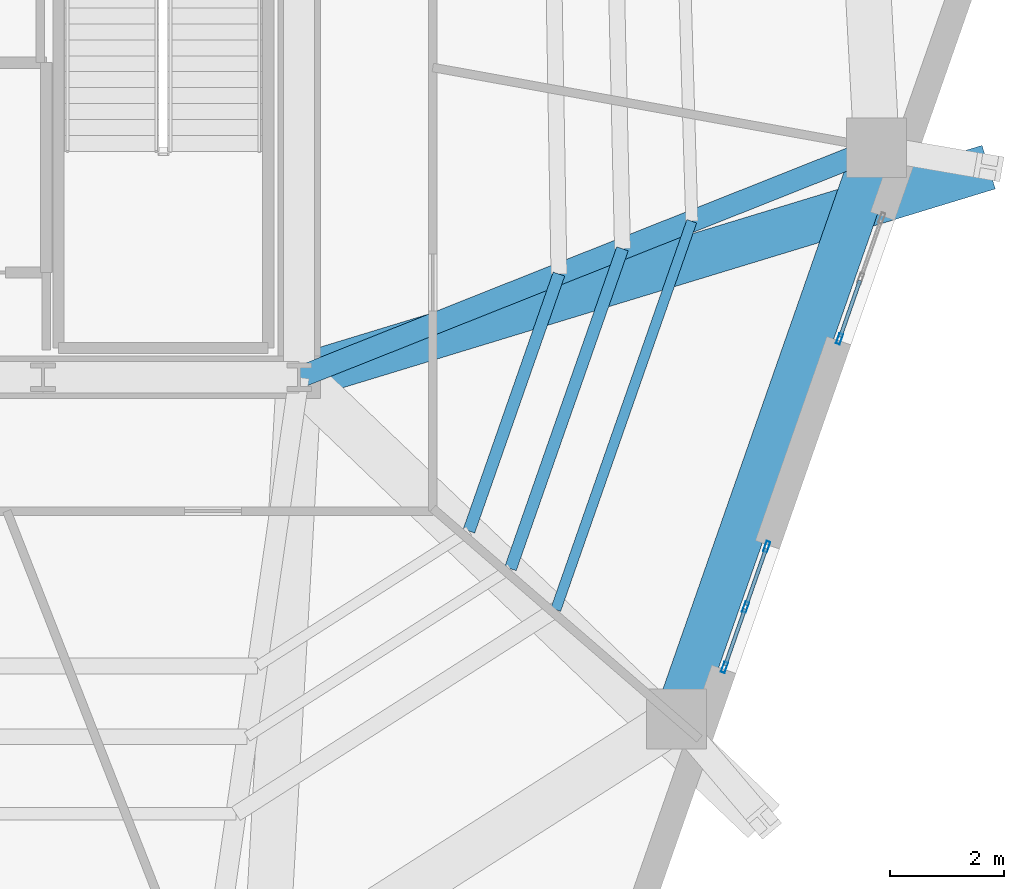
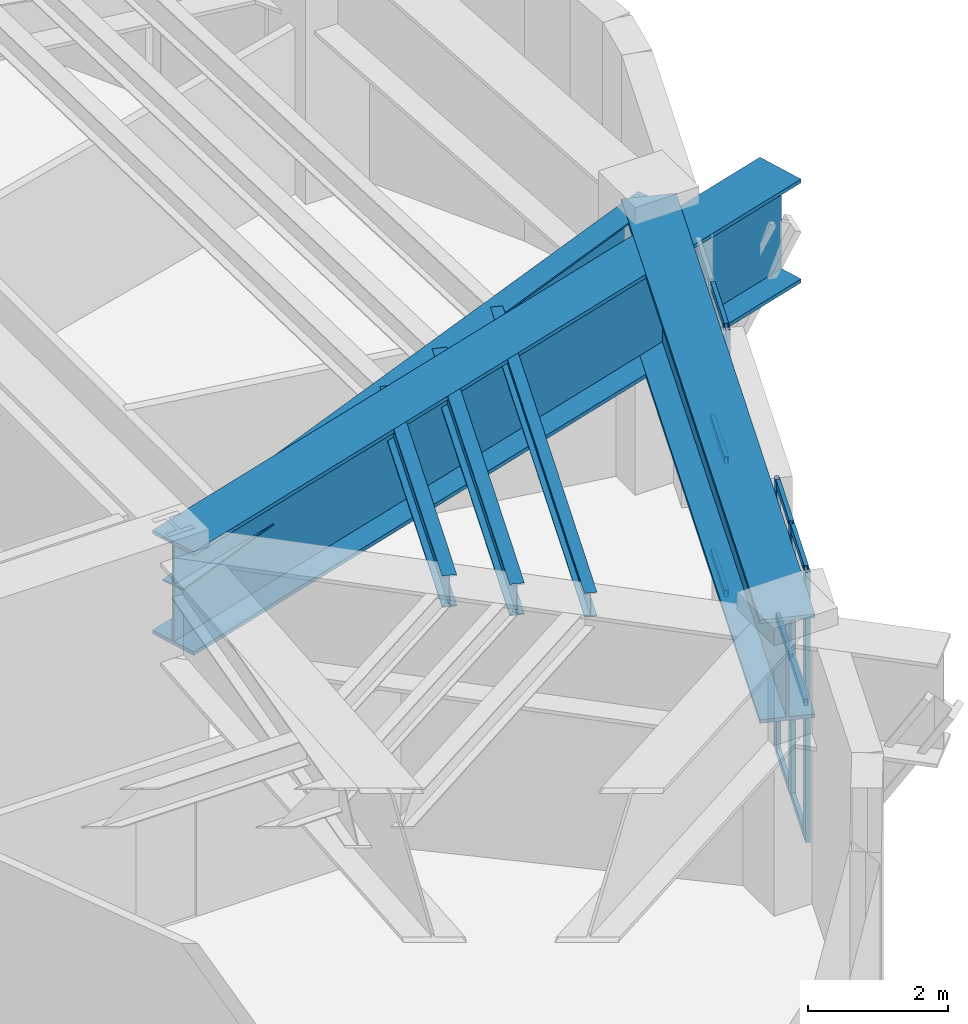
# One storey, part 6 of 18: 13 members, 6 beams, 2 elements without a shape of their own.
"""IFC4 building model written with IfcOpenShell, lengths in metres."""

from ifc_helpers import new_model, si_unit, direction, frame, origin, origin_2d, place, context, subcontext, project, spatial, hollow_rectangle, i_section, extrude, material, layer, layer_set, material_profile, profile_set, type_object, element, aggregate, save


model = new_model("IFC4")

# Units and contexts
model_context = context("Model", 3, precision=1e-05, world=origin(), true_north=direction((0.0, 1.0)))
body_context = subcontext(model_context, "Body", "Model", "MODEL_VIEW")
ifc_project = project(units=[si_unit("LENGTHUNIT", "METRE"), si_unit("AREAUNIT", "SQUARE_METRE"), si_unit("VOLUMEUNIT", "CUBIC_METRE"), si_unit("PLANEANGLEUNIT", "RADIAN"), si_unit("MASSUNIT", "GRAM", prefix="KILO")], contexts=[model_context])

# Site, building, storey
site_placement = place(None, origin())
site = spatial("IfcSite", under=ifc_project, at=site_placement, CompositionType="ELEMENT")
building_placement = place(site_placement, origin())
building = spatial("IfcBuilding", under=site, at=building_placement, Name="Kilnhurst Terrace Hotel", CompositionType="ELEMENT")
storey_placement = place(building_placement, frame((0.0, 0.0, 201.5)))
storey = spatial("IfcBuildingStorey", under=building, at=storey_placement, Name="L50", CompositionType="ELEMENT", Elevation=201.5)

# Beams
ifc_material_1 = material(Name="Steel ASTM A992 Grade 50", Category="steel")
ifc_material_profile_1 = material_profile(ifc_material_1, i_section(OverallWidth=0.380615234375, OverallDepth=0.773193359375, WebThickness=0.0166015625, FlangeThickness=0.027099609375, at=origin_2d()), Name="W30X173")
ifc_profile_set_1 = profile_set([ifc_material_profile_1], Name="Steel ASTM A992 Grade 50")
beam_type_1 = type_object("IfcBeamType", Name="BM-STL-W30X173", PredefinedType="BEAM", material=ifc_profile_set_1)
beam_1_placement = place(storey_placement, frame((9.0, -7.5, 4.31298828125), z_axis=(0.929302373458, 0.369319778356, 0.0), x_axis=(-0.369319778356, 0.929302373458, 0.0)))
element("IfcBeam", 1, at=beam_1_placement, inside=storey, type_object=beam_type_1, Name="L50 Radial Floor Beam 4", PredefinedType="BEAM", context=body_context, shape_type="SweptSolid", body=[
    extrude(i_section(OverallWidth=0.380615234375, OverallDepth=0.773193359375, WebThickness=0.0166015625, FlangeThickness=0.027099609375, at=origin_2d()), origin(), (0.0, 0.0, 1.0), 10.919921875),
])
ifc_material_profile_2 = material_profile(ifc_material_1, i_section(OverallWidth=0.180908203125, OverallDepth=0.417236328125, WebThickness=0.010986328125, FlangeThickness=0.018310546875, at=origin_2d()), Name="W16X57")
ifc_profile_set_2 = profile_set([ifc_material_profile_2], Name="Steel ASTM A992 Grade 50")
beam_type_2 = type_object("IfcBeamType", Name="JST-STL-W16X57", PredefinedType="JOIST", material=ifc_profile_set_2)
beam_2_placement = place(storey_placement, frame((13.510498046875, -11.58349609375, 4.490966796875), z_axis=(0.330481239411, 0.943812561051, 0.0), x_axis=(-0.943812561051, 0.330481239411, 0.0)))
element("IfcBeam", 2, at=beam_2_placement, inside=storey, type_object=beam_type_2, Name="L50 Secondary Floor Steel Joist OUT.3", PredefinedType="JOIST", context=body_context, shape_type="SweptSolid", body=[
    extrude(i_section(OverallWidth=0.180908203125, OverallDepth=0.417236328125, WebThickness=0.010986328125, FlangeThickness=0.018310546875, at=origin_2d()), origin(), (0.0, 0.0, 1.0), 7.232177734375),
])
ifc_material_profile_3 = material_profile(ifc_material_1, i_section(OverallWidth=0.2138671875, OverallDepth=0.549072265625, WebThickness=0.0146484375, FlangeThickness=0.023681640625, at=origin_2d()), Name="W21X93")
ifc_profile_set_3 = profile_set([ifc_material_profile_3], Name="Steel ASTM A992 Grade 50")
beam_type_3 = type_object("IfcBeamType", Name="JST-STL-W21X93", PredefinedType="JOIST", material=ifc_profile_set_3)
beam_3_placement = place(storey_placement, frame((11.98486328125, -10.2021484375, 4.425048828125), z_axis=(0.330516298629, 0.943800284139, 0.0), x_axis=(-0.943800284139, 0.330516298629, 0.0)))
element("IfcBeam", 3, at=beam_3_placement, inside=storey, type_object=beam_type_3, Name="L50 Secondary Floor Steel Joist IN.3", PredefinedType="JOIST", context=body_context, shape_type="SweptSolid", body=[
    extrude(i_section(OverallWidth=0.2138671875, OverallDepth=0.549072265625, WebThickness=0.0146484375, FlangeThickness=0.023681640625, at=origin_2d()), origin(), (0.0, 0.0, 1.0), 4.785888671875),
])
beam_4_placement = place(storey_placement, frame((12.714599609375, -10.86279296875, 4.425048828125), z_axis=(0.330469104178, 0.943816810183, 0.0), x_axis=(-0.943816810183, 0.330469104178, 0.0)))
element("IfcBeam", 4, at=beam_4_placement, inside=storey, type_object=beam_type_3, Name="L50 Secondary Floor Steel Joist MID.3", PredefinedType="JOIST", context=body_context, shape_type="SweptSolid", body=[
    extrude(i_section(OverallWidth=0.2138671875, OverallDepth=0.549072265625, WebThickness=0.0146484375, FlangeThickness=0.023681640625, at=origin_2d()), origin(), (0.0, 0.0, 1.0), 5.9560546875),
])

# Curtain wall, members
ifc_material_2 = material(Name="Anodized Aluminium Alloy 6063-T6 and Low-E Glass", Category="aluminium")
ifc_layer = layer(ifc_material_2, 0.219970703125, Name="Anodized Aluminium Alloy 6063-T6 and Low-E Glass")
ifc_layer_set = layer_set([ifc_layer], Name="Anodized Aluminium Alloy 6063-T6 and Low-E Glass")
curtain_wall_type = type_object("IfcCurtainWallType", Name="CW-SPA-L50", PredefinedType="NOTDEFINED", material=ifc_layer_set)
curtain_wall_1_placement = place(storey_placement, origin())
curtain_wall_1 = element("IfcCurtainWall", 5, at=curtain_wall_1_placement, inside=storey, type_object=curtain_wall_type, Name="L50 Curtain Wall CW-L50-F2-1", PredefinedType="NOTDEFINED")
ifc_material_3 = material(Name="Extruded Aluminium Alloy 6063-T6", Category="aluminium")
ifc_material_profile_4 = material_profile(ifc_material_3, hollow_rectangle(XDim=0.070068359375, YDim=0.18994140625, WallThickness=0.00390625, at=origin_2d()), Name="CWM70X190")
ifc_profile_set_4 = profile_set([ifc_material_profile_4], Name="Extruded Aluminium Alloy 6063-T6")
member_type_1 = type_object("IfcMemberType", Name="MEM-CWM70X190", PredefinedType="MULLION", material=ifc_profile_set_4)
member_1_placement = place(storey_placement, frame((16.4755859375, -12.597900390625, 0.0), z_axis=(0.0, 0.0, 1.0), x_axis=(-0.943822032157, 0.33045418989, 0.0)))
member_1 = element("IfcMember", 6, at=member_1_placement, type_object=member_type_1, Name="CWA-4 mullion 1", PredefinedType="MULLION", context=body_context, shape_type="SweptSolid", body=[
    extrude(hollow_rectangle(XDim=0.070068359375, YDim=0.18994140625, WallThickness=0.00390625, at=origin_2d()), origin(), (0.0, 0.0, 1.0), 4.699951171875),
])
member_2_placement = place(storey_placement, frame((16.846923828125, -11.537109375, 0.0), z_axis=(0.0, 0.0, 1.0), x_axis=(-0.943822032157, 0.33045418989, 0.0)))
member_2 = element("IfcMember", 7, at=member_2_placement, type_object=member_type_1, Name="CWA-4 mullion 2", PredefinedType="MULLION", context=body_context, shape_type="SweptSolid", body=[
    extrude(hollow_rectangle(XDim=0.070068359375, YDim=0.18994140625, WallThickness=0.00390625, at=origin_2d()), origin(), (0.0, 0.0, 1.0), 4.699951171875),
])
member_3_placement = place(storey_placement, frame((17.218505859375, -10.47607421875, 0.0), z_axis=(0.0, 0.0, 1.0), x_axis=(-0.943822032157, 0.33045418989, 0.0)))
member_3 = element("IfcMember", 8, at=member_3_placement, type_object=member_type_1, Name="CWA-4 mullion 3", PredefinedType="MULLION", context=body_context, shape_type="SweptSolid", body=[
    extrude(hollow_rectangle(XDim=0.070068359375, YDim=0.18994140625, WallThickness=0.00390625, at=origin_2d()), origin(), (0.0, 0.0, 1.0), 4.699951171875),
])

# Curtain wall, member
curtain_wall_2_placement = place(storey_placement, origin())
curtain_wall_2 = element("IfcCurtainWall", 9, at=curtain_wall_2_placement, inside=storey, type_object=curtain_wall_type, Name="L50 Curtain Wall CW-L50-F2-2", PredefinedType="NOTDEFINED")
member_4_placement = place(storey_placement, frame((18.4970703125, -6.823486328125, 0.0), z_axis=(0.0, 0.0, 1.0), x_axis=(-0.943822032157, 0.33045418989, 0.0)))
member_4 = element("IfcMember", 10, at=member_4_placement, type_object=member_type_1, Name="CWA-4 mullion 1", PredefinedType="MULLION", context=body_context, shape_type="SweptSolid", body=[
    extrude(hollow_rectangle(XDim=0.070068359375, YDim=0.18994140625, WallThickness=0.00390625, at=origin_2d()), origin(), (0.0, 0.0, 1.0), 4.699951171875),
])

# Member
ifc_material_profile_5 = material_profile(ifc_material_3, hollow_rectangle(XDim=0.06494140625, YDim=0.1201171875, WallThickness=0.00341796875, at=origin_2d()), Name="CWT65X120")
ifc_profile_set_5 = profile_set([ifc_material_profile_5], Name="Extruded Aluminium Alloy 6063-T6")
member_type_2 = type_object("IfcMemberType", Name="MEM-CWT65X120", PredefinedType="USERDEFINED", material=ifc_profile_set_5)
member_5_placement = place(storey_placement, frame((16.487060546875, -12.56494140625, 0.032470703125), z_axis=(0.330505169768, 0.943804181362, 0.0), x_axis=(-0.943804181362, 0.330505169768, 0.0)))
member_5 = element("IfcMember", 11, at=member_5_placement, type_object=member_type_2, Name="CWA-4 transom 1.1", ObjectType="TRANSOM", PredefinedType="USERDEFINED", context=body_context, shape_type="SweptSolid", body=[
    extrude(hollow_rectangle(XDim=0.06494140625, YDim=0.1201171875, WallThickness=0.00341796875, at=origin_2d()), origin(), (0.0, 0.0, 1.0), 1.05419921875),
])

member_6_placement = place(storey_placement, frame((16.487060546875, -12.56494140625, 2.35009765625), z_axis=(0.330505169768, 0.943804181362, 0.0), x_axis=(-0.943804181362, 0.330505169768, 0.0)))
member_6 = element("IfcMember", 12, at=member_6_placement, type_object=member_type_2, Name="CWA-4 transom 1.2", ObjectType="TRANSOM", PredefinedType="USERDEFINED", context=body_context, shape_type="SweptSolid", body=[
    extrude(hollow_rectangle(XDim=0.06494140625, YDim=0.1201171875, WallThickness=0.00341796875, at=origin_2d()), origin(), (0.0, 0.0, 1.0), 1.05419921875),
])

member_7_placement = place(storey_placement, frame((16.487060546875, -12.56494140625, 4.66748046875), z_axis=(0.330505169768, 0.943804181362, 0.0), x_axis=(-0.943804181362, 0.330505169768, 0.0)))
member_7 = element("IfcMember", 13, at=member_7_placement, type_object=member_type_2, Name="CWA-4 transom 1.3", ObjectType="TRANSOM", PredefinedType="USERDEFINED", context=body_context, shape_type="SweptSolid", body=[
    extrude(hollow_rectangle(XDim=0.06494140625, YDim=0.1201171875, WallThickness=0.00341796875, at=origin_2d()), origin(), (0.0, 0.0, 1.0), 1.05419921875),
])

member_8_placement = place(storey_placement, frame((16.858642578125, -11.50390625, 0.032470703125), z_axis=(0.330371064004, 0.943851132366, 0.0), x_axis=(-0.943851132366, 0.330371064004, 0.0)))
member_8 = element("IfcMember", 14, at=member_8_placement, type_object=member_type_2, Name="CWA-4 transom 2.1", ObjectType="TRANSOM", PredefinedType="USERDEFINED", context=body_context, shape_type="SweptSolid", body=[
    extrude(hollow_rectangle(XDim=0.06494140625, YDim=0.1201171875, WallThickness=0.00341796875, at=origin_2d()), origin(), (0.0, 0.0, 1.0), 1.0537109375),
])

member_9_placement = place(storey_placement, frame((16.858642578125, -11.50390625, 2.35009765625), z_axis=(0.330371064004, 0.943851132366, 0.0), x_axis=(-0.943851132366, 0.330371064004, 0.0)))
member_9 = element("IfcMember", 15, at=member_9_placement, type_object=member_type_2, Name="CWA-4 transom 2.2", ObjectType="TRANSOM", PredefinedType="USERDEFINED", context=body_context, shape_type="SweptSolid", body=[
    extrude(hollow_rectangle(XDim=0.06494140625, YDim=0.1201171875, WallThickness=0.00341796875, at=origin_2d()), origin(), (0.0, 0.0, 1.0), 1.0537109375),
])

member_10_placement = place(storey_placement, frame((16.858642578125, -11.50390625, 4.66748046875), z_axis=(0.330371064004, 0.943851132366, 0.0), x_axis=(-0.943851132366, 0.330371064004, 0.0)))
member_10 = element("IfcMember", 16, at=member_10_placement, type_object=member_type_2, Name="CWA-4 transom 2.3", ObjectType="TRANSOM", PredefinedType="USERDEFINED", context=body_context, shape_type="SweptSolid", body=[
    extrude(hollow_rectangle(XDim=0.06494140625, YDim=0.1201171875, WallThickness=0.00341796875, at=origin_2d()), origin(), (0.0, 0.0, 1.0), 1.0537109375),
])

aggregate(curtain_wall_1, [member_1, member_2, member_3, member_5, member_6, member_7, member_8, member_9, member_10])

member_11_placement = place(storey_placement, frame((18.5087890625, -6.79052734375, 0.032470703125), z_axis=(0.330298837127, 0.943876410444, 0.0), x_axis=(-0.943876410444, 0.330298837127, 0.0)))
member_11 = element("IfcMember", 17, at=member_11_placement, type_object=member_type_2, Name="CWA-4 transom 1.1", ObjectType="TRANSOM", PredefinedType="USERDEFINED", context=body_context, shape_type="SweptSolid", body=[
    extrude(hollow_rectangle(XDim=0.06494140625, YDim=0.1201171875, WallThickness=0.00341796875, at=origin_2d()), origin(), (0.0, 0.0, 1.0), 1.053955078125),
])

member_12_placement = place(storey_placement, frame((18.5087890625, -6.79052734375, 2.35009765625), z_axis=(0.330298837127, 0.943876410444, 0.0), x_axis=(-0.943876410444, 0.330298837127, 0.0)))
member_12 = element("IfcMember", 18, at=member_12_placement, type_object=member_type_2, Name="CWA-4 transom 1.2", ObjectType="TRANSOM", PredefinedType="USERDEFINED", context=body_context, shape_type="SweptSolid", body=[
    extrude(hollow_rectangle(XDim=0.06494140625, YDim=0.1201171875, WallThickness=0.00341796875, at=origin_2d()), origin(), (0.0, 0.0, 1.0), 1.053955078125),
])

member_13_placement = place(storey_placement, frame((18.5087890625, -6.79052734375, 4.66748046875), z_axis=(0.330298837127, 0.943876410444, 0.0), x_axis=(-0.943876410444, 0.330298837127, 0.0)))
member_13 = element("IfcMember", 19, at=member_13_placement, type_object=member_type_2, Name="CWA-4 transom 1.3", ObjectType="TRANSOM", PredefinedType="USERDEFINED", context=body_context, shape_type="SweptSolid", body=[
    extrude(hollow_rectangle(XDim=0.06494140625, YDim=0.1201171875, WallThickness=0.00341796875, at=origin_2d()), origin(), (0.0, 0.0, 1.0), 1.053955078125),
])

aggregate(curtain_wall_2, [member_4, member_11, member_12, member_13])

# Beams
ifc_material_4 = material(Name="Steel ASTM A572 Grade 50", Category="steel")
ifc_material_profile_6 = material_profile(ifc_material_4, i_section(OverallWidth=0.800048828125, OverallDepth=1.800048828125, WebThickness=0.0400390625, FlangeThickness=0.06494140625, at=origin_2d()), Name="PG1800X800")
ifc_profile_set_6 = profile_set([ifc_material_profile_6], Name="Steel ASTM A572 Grade 50")
beam_type_4 = type_object("IfcBeamType", Name="TG-STEP-1800", PredefinedType="USERDEFINED", material=ifc_profile_set_6)
beam_5_placement = place(storey_placement, frame((15.633056640625, -13.5048828125, 3.800048828125), z_axis=(0.330488460168, 0.943810032632, 0.0), x_axis=(-0.943810032632, 0.330488460168, 0.0)))
element("IfcBeam", 20, at=beam_5_placement, inside=storey, type_object=beam_type_4, Name="L50 Zone Step Perimeter Transfer Girder 3", ObjectType="GIRDER", PredefinedType="USERDEFINED", context=body_context, shape_type="SweptSolid", body=[
    extrude(i_section(OverallWidth=0.800048828125, OverallDepth=1.800048828125, WebThickness=0.0400390625, FlangeThickness=0.06494140625, at=origin_2d()), origin(), (0.0, 0.0, 1.0), 10.635498046875),
])
beam_6_placement = place(storey_placement, frame((9.0, -7.5, 3.800048828125), z_axis=(0.956562713724, 0.291526627793, 0.0), x_axis=(-0.291526627793, 0.956562713724, 0.0)))
element("IfcBeam", 21, at=beam_6_placement, inside=storey, type_object=beam_type_4, Name="L50 Zone Flare Radial Transfer Girder 4", ObjectType="GIRDER", PredefinedType="USERDEFINED", context=body_context, shape_type="SweptSolid", body=[
    extrude(i_section(OverallWidth=0.800048828125, OverallDepth=1.800048828125, WebThickness=0.0400390625, FlangeThickness=0.06494140625, at=origin_2d()), origin(), (0.0, 0.0, 1.0), 12.668212890625),
])

save(model, "model.ifc")
